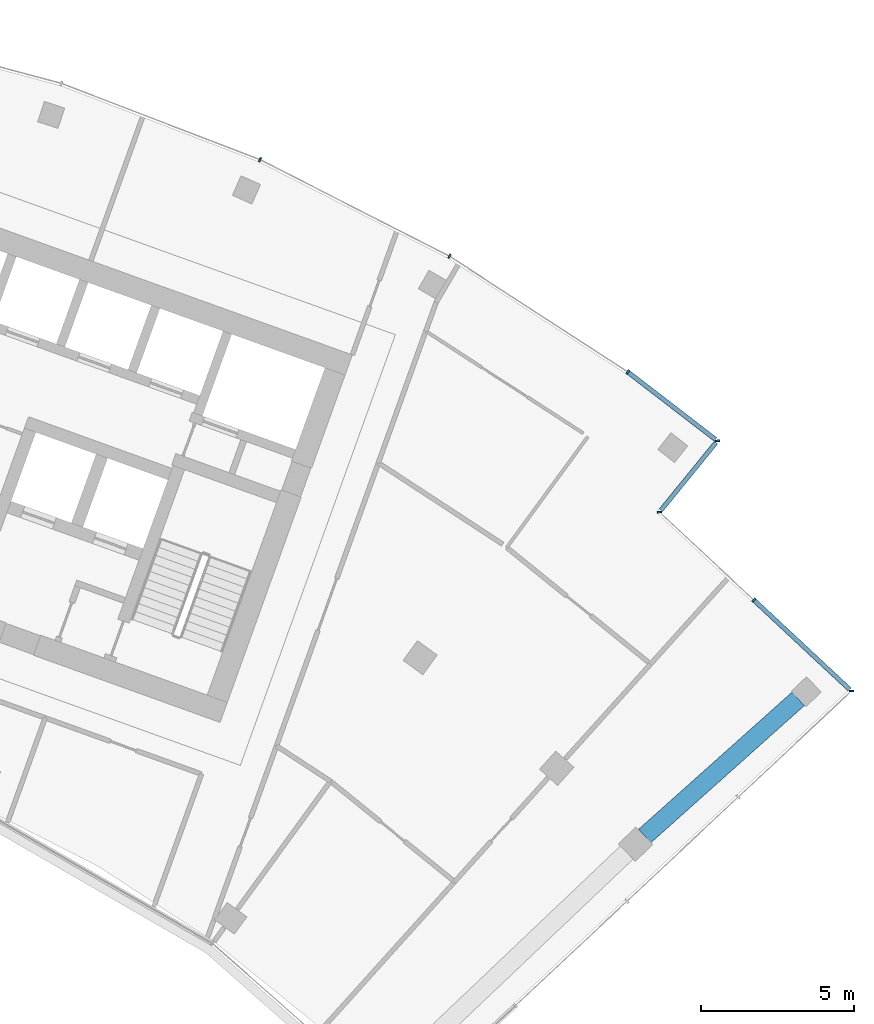
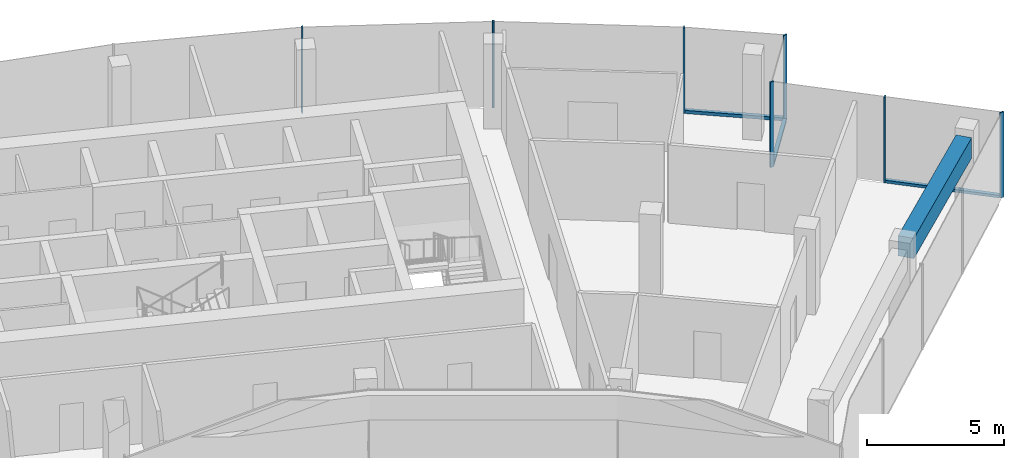
# One storey, part 9 of 18: 10 members, 1 beam, 3 elements without a shape of their own.
"""IFC4 building model written with IfcOpenShell, lengths in metres."""

from ifc_helpers import new_model, si_unit, direction, frame, origin, origin_2d, place, context, subcontext, project, spatial, rectangle, extrude, material, layer, layer_set, material_profile, profile_set, type_object, element, aggregate, save


model = new_model("IFC4")

# Units and contexts
model_context = context("Model", 3, precision=1e-05, world=origin(), true_north=direction((0.0, 1.0)))
body_context = subcontext(model_context, "Body", "Model", "MODEL_VIEW")
ifc_project = project(units=[si_unit("LENGTHUNIT", "METRE"), si_unit("AREAUNIT", "SQUARE_METRE"), si_unit("VOLUMEUNIT", "CUBIC_METRE"), si_unit("PLANEANGLEUNIT", "RADIAN"), si_unit("MASSUNIT", "GRAM", prefix="KILO")], contexts=[model_context])

# Site, building, storey
site_placement = place(None, origin())
site = spatial("IfcSite", under=ifc_project, at=site_placement, CompositionType="ELEMENT")
building_placement = place(site_placement, origin())
building = spatial("IfcBuilding", under=site, at=building_placement, Name="Stone Belt Terrace Tower", CompositionType="ELEMENT")
storey_placement = place(building_placement, frame((0.0, 0.0, 261.800048828125)))
storey = spatial("IfcBuildingStorey", under=building, at=storey_placement, Name="L63", CompositionType="ELEMENT", Elevation=261.800048828125)

# Curtain wall, members
ifc_material_1 = material(Name="Aluminium 6063-T6 anodised frame", Category="aluminium")
ifc_layer_1 = layer(ifc_material_1, 0.14990234375)
ifc_layer_set_1 = layer_set([ifc_layer_1], Name="CW-A unitised convex-face curtain wall")
curtain_wall_type_1 = type_object("IfcCurtainWallType", Name="CW-A unitised convex-face curtain wall", PredefinedType="NOTDEFINED", material=ifc_layer_set_1)
curtain_wall_1_placement = place(storey_placement, origin())
curtain_wall_1 = element("IfcCurtainWall", 1, at=curtain_wall_1_placement, inside=storey, type_object=curtain_wall_type_1, Name="CW-A convex face L63", PredefinedType="NOTDEFINED")
ifc_material_profile_1 = material_profile(ifc_material_1, rectangle(XDim=0.14990234375, YDim=0.06005859375, at=origin_2d()), Name="Aluminium 6063-T6 60x150")
ifc_profile_set_1 = profile_set([ifc_material_profile_1], Name="Aluminium 6063-T6 anodised frame")
member_type_1 = type_object("IfcMemberType", Name="CW-A mullion 60 x 150", PredefinedType="MULLION", material=ifc_profile_set_1)
member_1_placement = place(storey_placement, frame((42.068359375, 51.60205078125, 0.0), z_axis=(0.0, 0.0, 1.0), x_axis=(-0.993258004644, -0.115924700604, 0.0)))
member_1 = element("IfcMember", 2, at=member_1_placement, type_object=member_type_1, Name="CW-A mullion 1", PredefinedType="MULLION", context=body_context, shape_type="SweptSolid", body=[
    extrude(rectangle(XDim=0.14990234375, YDim=0.06005859375, at=origin_2d()), origin(), (0.0, 0.0, 1.0), 3.800048828125),
])
member_2_placement = place(storey_placement, frame((39.131103515625, 53.86083984375, 0.0), z_axis=(0.0, 0.0, 1.0), x_axis=(-0.577587125789, -0.816329046477, 0.0)))
member_2 = element("IfcMember", 3, at=member_2_placement, type_object=member_type_1, Name="CW-A mullion 2", PredefinedType="MULLION", context=body_context, shape_type="SweptSolid", body=[
    extrude(rectangle(XDim=0.14990234375, YDim=0.06005859375, at=origin_2d()), origin(), (0.0, 0.0, 1.0), 3.800048828125),
])
member_3_placement = place(storey_placement, frame((33.28759765625, 57.65576171875, 0.0), z_axis=(0.0, 0.0, 1.0), x_axis=(-0.5, -0.866025403784, 0.0)))
member_3 = element("IfcMember", 4, at=member_3_placement, type_object=member_type_1, Name="CW-A mullion 3", PredefinedType="MULLION", context=body_context, shape_type="SweptSolid", body=[
    extrude(rectangle(XDim=0.14990234375, YDim=0.06005859375, at=origin_2d()), origin(), (0.0, 0.0, 1.0), 3.800048828125),
])
member_4_placement = place(storey_placement, frame((27.07861328125, 60.8193359375, 0.0), z_axis=(0.0, 0.0, 1.0), x_axis=(-0.406736643076, -0.913545457643, 0.0)))
member_4 = element("IfcMember", 5, at=member_4_placement, type_object=member_type_1, Name="CW-A mullion 4", PredefinedType="MULLION", context=body_context, shape_type="SweptSolid", body=[
    extrude(rectangle(XDim=0.14990234375, YDim=0.06005859375, at=origin_2d()), origin(), (0.0, 0.0, 1.0), 3.800048828125),
])
ifc_material_profile_2 = material_profile(ifc_material_1, rectangle(XDim=0.14990234375, YDim=0.139892578125, at=origin_2d()), Name="Aluminium 6063-T6 150x140")
ifc_profile_set_2 = profile_set([ifc_material_profile_2], Name="Aluminium 6063-T6 anodised frame")
member_type_2 = type_object("IfcMemberType", Name="CW-A transom 140 x 150", PredefinedType="USERDEFINED", material=ifc_profile_set_2)
member_5_placement = place(storey_placement, frame((42.00927734375, 51.6474609375, 0.070068359375), z_axis=(-0.79269461464, 0.609618936648, 0.0), x_axis=(-0.609618936648, -0.79269461464, 0.0)))
member_5 = element("IfcMember", 6, at=member_5_placement, type_object=member_type_2, Name="CW-A transom 1.1", ObjectType="TRANSOM", PredefinedType="USERDEFINED", context=body_context, shape_type="SweptSolid", body=[
    extrude(rectangle(XDim=0.14990234375, YDim=0.139892578125, at=origin_2d()), origin(), (0.0, 0.0, 1.0), 3.597900390625),
])
aggregate(curtain_wall_1, [member_1, member_2, member_3, member_4, member_5])

ifc_layer_2 = layer(ifc_material_1, 0.14990234375)
ifc_layer_set_2 = layer_set([ifc_layer_2], Name="CW-C stick curtain wall, horn ends and notches")
curtain_wall_type_2 = type_object("IfcCurtainWallType", Name="CW-C stick curtain wall, horn ends and notches", PredefinedType="NOTDEFINED", material=ifc_layer_set_2)
curtain_wall_2_placement = place(storey_placement, origin())
curtain_wall_2 = element("IfcCurtainWall", 7, at=curtain_wall_2_placement, inside=storey, type_object=curtain_wall_type_2, Name="CW-C notch face L63", PredefinedType="NOTDEFINED")
ifc_material_profile_3 = material_profile(ifc_material_1, rectangle(XDim=0.14990234375, YDim=0.06005859375, at=origin_2d()), Name="Aluminium 6063-T6 60x150")
ifc_profile_set_3 = profile_set([ifc_material_profile_3], Name="Aluminium 6063-T6 anodised frame")
member_type_3 = type_object("IfcMemberType", Name="CW-C mullion 60 x 150", PredefinedType="MULLION", material=ifc_profile_set_3)
member_6_placement = place(storey_placement, frame((46.458740234375, 43.405517578125, 0.0), z_axis=(0.0, 0.0, 1.0), x_axis=(-0.999999447771, -0.00105093149, 0.0)))
member_6 = element("IfcMember", 8, at=member_6_placement, type_object=member_type_3, Name="CW-C mullion 1", PredefinedType="MULLION", context=body_context, shape_type="SweptSolid", body=[
    extrude(rectangle(XDim=0.14990234375, YDim=0.06005859375, at=origin_2d()), origin(), (0.0, 0.0, 1.0), 3.800048828125),
])
member_7_placement = place(storey_placement, frame((43.260009765625, 46.388671875, 0.0), z_axis=(0.0, 0.0, 1.0), x_axis=(-0.682013767261, -0.731339333871, 0.0)))
member_7 = element("IfcMember", 9, at=member_7_placement, type_object=member_type_3, Name="CW-C mullion 2", PredefinedType="MULLION", context=body_context, shape_type="SweptSolid", body=[
    extrude(rectangle(XDim=0.14990234375, YDim=0.06005859375, at=origin_2d()), origin(), (0.0, 0.0, 1.0), 3.800048828125),
])

# Curtain wall, member
curtain_wall_3_placement = place(storey_placement, origin())
curtain_wall_3 = element("IfcCurtainWall", 10, at=curtain_wall_3_placement, inside=storey, type_object=curtain_wall_type_2, Name="CW-C notch face L63", PredefinedType="NOTDEFINED")
member_8_placement = place(storey_placement, frame((40.1708984375, 49.269287109375, 0.0), z_axis=(0.0, 0.0, 1.0), x_axis=(-0.997639702696, -0.068666029474, 0.0)))
member_8 = element("IfcMember", 11, at=member_8_placement, type_object=member_type_3, Name="CW-C mullion 1", PredefinedType="MULLION", context=body_context, shape_type="SweptSolid", body=[
    extrude(rectangle(XDim=0.14990234375, YDim=0.06005859375, at=origin_2d()), origin(), (0.0, 0.0, 1.0), 3.800048828125),
])

# Member
ifc_material_profile_4 = material_profile(ifc_material_1, rectangle(XDim=0.14990234375, YDim=0.1201171875, at=origin_2d()), Name="Aluminium 6063-T6 150x120")
ifc_profile_set_4 = profile_set([ifc_material_profile_4], Name="Aluminium 6063-T6 anodised frame")
member_type_4 = type_object("IfcMemberType", Name="CW-C transom 120 x 150", PredefinedType="USERDEFINED", material=ifc_profile_set_4)
member_9_placement = place(storey_placement, frame((46.40380859375, 43.456787109375, 0.06005859375), z_axis=(-0.731353784958, 0.681998270693, 0.0), x_axis=(-0.681998270693, -0.731353784958, 0.0)))
member_9 = element("IfcMember", 12, at=member_9_placement, type_object=member_type_4, Name="CW-C transom 1.1", ObjectType="TRANSOM", PredefinedType="USERDEFINED", context=body_context, shape_type="SweptSolid", body=[
    extrude(rectangle(XDim=0.14990234375, YDim=0.1201171875, at=origin_2d()), origin(), (0.0, 0.0, 1.0), 4.268798828125),
])

aggregate(curtain_wall_2, [member_6, member_7, member_9])

member_10_placement = place(storey_placement, frame((40.217041015625, 49.325927734375, 0.06005859375), z_axis=(0.631026504781, 0.775761271439, 0.0), x_axis=(-0.775761271439, 0.631026504781, 0.0)))
member_10 = element("IfcMember", 13, at=member_10_placement, type_object=member_type_4, Name="CW-C transom 1.1", ObjectType="TRANSOM", PredefinedType="USERDEFINED", context=body_context, shape_type="SweptSolid", body=[
    extrude(rectangle(XDim=0.14990234375, YDim=0.1201171875, at=origin_2d()), origin(), (0.0, 0.0, 1.0), 2.859130859375),
])

aggregate(curtain_wall_3, [member_8, member_10])

# Beam
ifc_material_2 = material(Name="Concrete B60", Category="concrete")
ifc_material_profile_5 = material_profile(ifc_material_2, rectangle(XDim=0.60009765625, YDim=0.89990234375, at=origin_2d()), Name="RC 600x900")
ifc_profile_set_5 = profile_set([ifc_material_profile_5], Name="Concrete B60")
beam_type = type_object("IfcBeamType", Name="Edge beam RC 600x900 B60", PredefinedType="SPANDREL", material=ifc_profile_set_5)
beam_placement = place(storey_placement, frame((39.68701171875, 38.65380859375, 3.030029296875), z_axis=(0.745651125692, 0.666336550666, 0.0), x_axis=(-0.666336550666, 0.745651125692, 0.0)))
element("IfcBeam", 14, at=beam_placement, inside=storey, type_object=beam_type, Name="Edge beam L63 B Q to R", PredefinedType="SPANDREL", context=body_context, shape_type="SweptSolid", body=[
    extrude(rectangle(XDim=0.60009765625, YDim=0.89990234375, at=origin_2d()), origin(), (0.0, 0.0, 1.0), 6.744140625),
])

save(model, "model.ifc")
